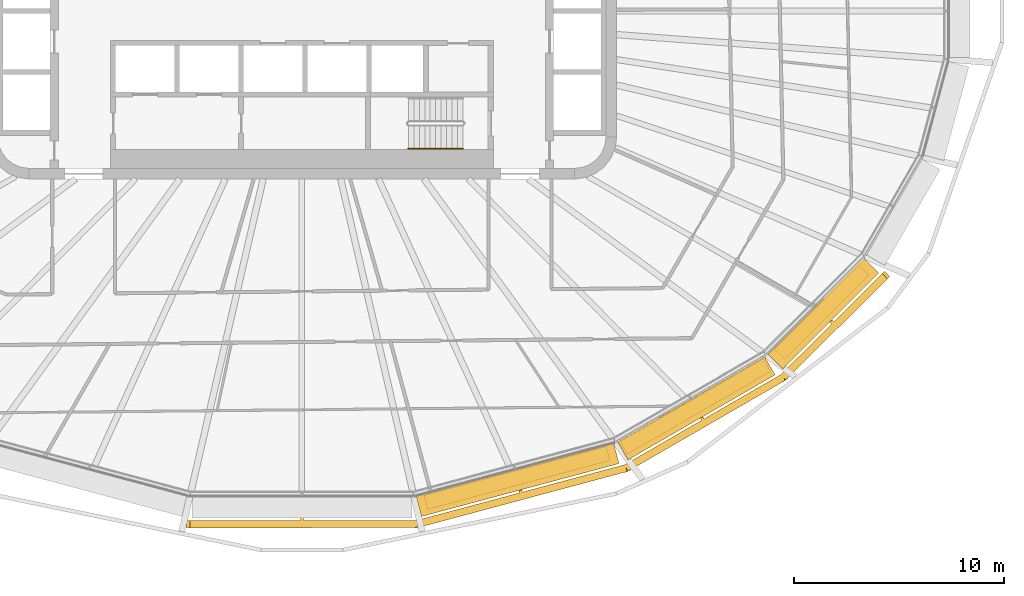
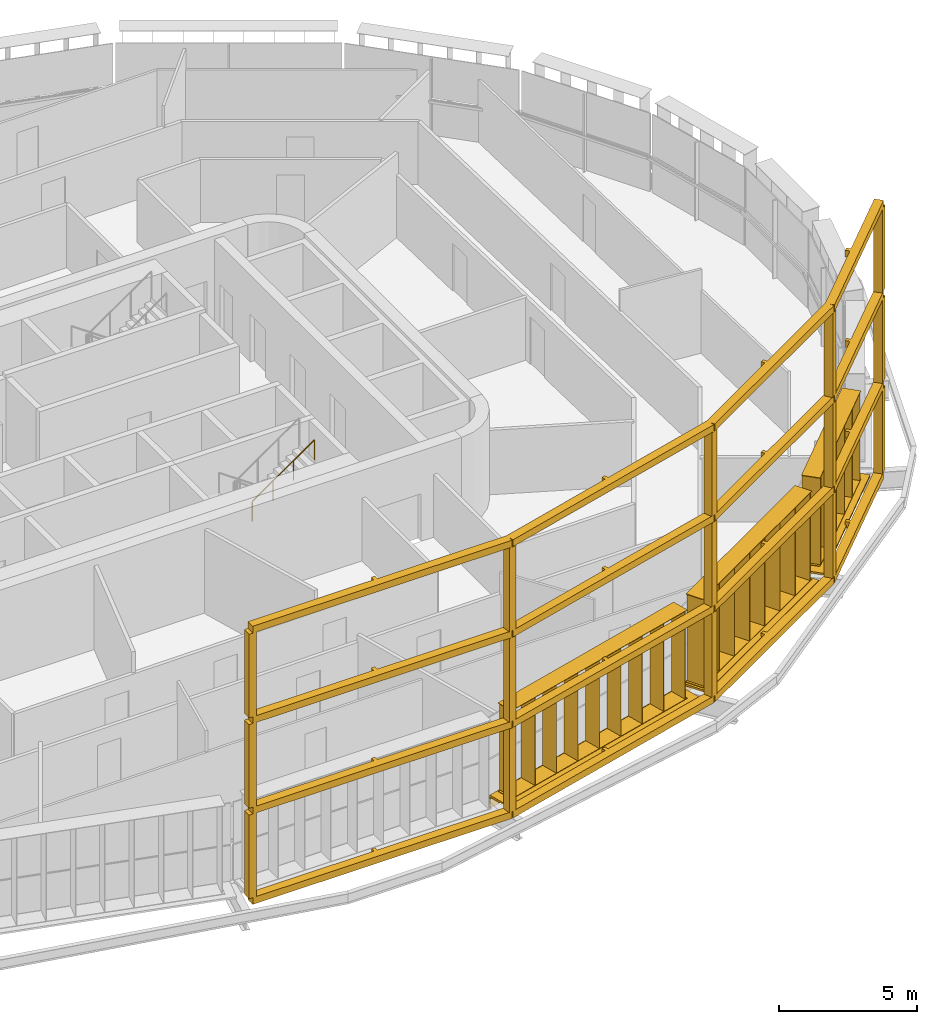
# One storey, part 20 of 23: 7 shading devices, 1 railing.
"""IFC4 building model written with IfcOpenShell, lengths in metres."""

from ifc_helpers import new_model, si_unit, direction, frame, origin, origin_2d, place, context, subcontext, project, spatial, polyline, rectangle, circle, outline, extrude, material, type_object, element, save


model = new_model("IFC4")

# Units and contexts
model_context = context("Model", 3, precision=1e-05, world=origin(), true_north=direction((0.0, 1.0)))
body_context = subcontext(model_context, "Body", "Model", "MODEL_VIEW")
ifc_project = project(units=[si_unit("LENGTHUNIT", "METRE"), si_unit("AREAUNIT", "SQUARE_METRE"), si_unit("VOLUMEUNIT", "CUBIC_METRE"), si_unit("PLANEANGLEUNIT", "RADIAN"), si_unit("MASSUNIT", "GRAM", prefix="KILO")], contexts=[model_context])

# Site, building, storey
site_placement = place(None, origin())
site = spatial("IfcSite", under=ifc_project, at=site_placement, CompositionType="ELEMENT")
building_placement = place(site_placement, origin())
building = spatial("IfcBuilding", under=site, at=building_placement, Name="Sahrelin Media Tower", CompositionType="ELEMENT")
storey_placement = place(building_placement, frame((0.0, 0.0, 185.60009765625)))
storey = spatial("IfcBuildingStorey", under=building, at=storey_placement, Name="L39", CompositionType="ELEMENT", Elevation=185.60009765625)

# Shading devices
ifc_material_1 = material(Name="Dark bronze anodised aluminium 6063-T6", Category="aluminium")
shading_device_type_1 = type_object("IfcShadingDeviceType", Name="Deep frame", PredefinedType="USERDEFINED", material=ifc_material_1)
shading_device_1_placement = place(storey_placement, frame((-5.339599609375, -23.12890625, 0.0), z_axis=(0.0, 0.0, 1.0), x_axis=(-1.0, 0.0, 0.0)))
element("IfcShadingDevice", 1, at=shading_device_1_placement, inside=storey, type_object=shading_device_type_1, Name="L39:FRAME:F3-4", ObjectType="FRAME", PredefinedType="USERDEFINED", context=body_context, shape_type="SweptSolid", body=[
    extrude(rectangle(XDim=0.300048828125, YDim=0.35009765625, at=origin_2d()), frame((0.0, 1.324951171875, 0.14990234375), z_axis=(0.0, 0.0, 1.0), x_axis=(-1.0, 0.0, 0.0)), (0.0, 0.0, 1.0), 3.7001953125),
    extrude(rectangle(XDim=0.300048828125, YDim=0.35009765625, at=origin_2d()), frame((-10.85205078125, 1.313720703125, 0.14990234375), z_axis=(0.0, 0.0, 1.0), x_axis=(-0.991436202368, -0.130591947046, 0.0)), (0.0, 0.0, 1.0), 3.7001953125),
    extrude(rectangle(XDim=0.300048828125, YDim=0.35009765625, at=origin_2d()), frame((-20.793701171875, -1.35009765625, 0.14990234375), z_axis=(0.0, 0.0, 1.0), x_axis=(-0.923897565017, -0.382639895143, 0.0)), (0.0, 0.0, 1.0), 3.7001953125),
    extrude(rectangle(XDim=0.300048828125, YDim=0.35009765625, at=origin_2d()), frame((-28.2802734375, -5.672607421875, 0.14990234375), z_axis=(0.0, 0.0, 1.0), x_axis=(-0.793352277801, -0.608762813671, 0.0)), (0.0, 0.0, 1.0), 3.7001953125),
    extrude(rectangle(XDim=0.300048828125, YDim=0.35009765625, at=origin_2d()), frame((-33.1181640625, -10.494384765625, 0.14990234375), z_axis=(0.0, 0.0, 1.0), x_axis=(-0.707106781187, -0.707106781187, 0.0)), (0.0, 0.0, 1.0), 3.7001953125),
    extrude(outline(polyline([(-10.852294921875, 1.48876953125), (-10.85205078125, 1.313720703125), (-10.8974609375, 1.482666015625), (-20.8388671875, -1.18115234375), (-20.793701171875, -1.35009765625), (-20.881103515625, -1.198486328125), (-28.36767578125, -5.52099609375), (-28.2802734375, -5.672607421875), (-28.40380859375, -5.548583984375), (-33.24169921875, -10.37060546875), (-32.99462890625, -10.618408203125), (-30.689697265625, -8.3212890625), (-30.56640625, -8.444580078125), (-30.460205078125, -8.338623046875), (-30.58349609375, -8.21533203125), (-28.1728515625, -5.812744140625), (-24.514404296875, -3.700439453125), (-24.429931640625, -3.846435546875), (-24.300048828125, -3.771484375), (-24.384521484375, -3.62548828125), (-20.72607421875, -1.51318359375), (-15.85009765625, -0.206787109375), (-15.806396484375, -0.36962890625), (-15.66162109375, -0.330810546875), (-15.705078125, -0.16796875), (-10.8291015625, 1.138671875), (-5.41455078125, 1.144287109375), (-5.41455078125, 0.969970703125), (-5.2646484375, 0.969970703125), (-5.2646484375, 1.14453125), (0.000244140625, 1.14990234375), (-0.000244140625, 1.5), (-10.852294921875, 1.48876953125)])), frame((0.0, 0.0, -0.14990234375)), (0.0, 0.0, 1.0), 0.2998046875),
    extrude(rectangle(XDim=0.300048828125, YDim=0.35009765625, at=origin_2d()), frame((0.0, 1.324951171875, 4.14990234375), z_axis=(0.0, 0.0, 1.0), x_axis=(-1.0, 0.0, 0.0)), (0.0, 0.0, 1.0), 3.7001953125),
    extrude(rectangle(XDim=0.300048828125, YDim=0.35009765625, at=origin_2d()), frame((-10.85205078125, 1.313720703125, 4.14990234375), z_axis=(0.0, 0.0, 1.0), x_axis=(-0.991436202368, -0.130591947046, 0.0)), (0.0, 0.0, 1.0), 3.7001953125),
    extrude(rectangle(XDim=0.300048828125, YDim=0.35009765625, at=origin_2d()), frame((-20.793701171875, -1.35009765625, 4.14990234375), z_axis=(0.0, 0.0, 1.0), x_axis=(-0.923897565017, -0.382639895143, 0.0)), (0.0, 0.0, 1.0), 3.7001953125),
    extrude(rectangle(XDim=0.300048828125, YDim=0.35009765625, at=origin_2d()), frame((-28.2802734375, -5.672607421875, 4.14990234375), z_axis=(0.0, 0.0, 1.0), x_axis=(-0.793352277801, -0.608762813671, 0.0)), (0.0, 0.0, 1.0), 3.7001953125),
    extrude(rectangle(XDim=0.300048828125, YDim=0.35009765625, at=origin_2d()), frame((-33.1181640625, -10.494384765625, 4.14990234375), z_axis=(0.0, 0.0, 1.0), x_axis=(-0.707106781187, -0.707106781187, 0.0)), (0.0, 0.0, 1.0), 3.7001953125),
    extrude(outline(polyline([(-10.852294921875, 1.48876953125), (-10.85205078125, 1.313720703125), (-10.8974609375, 1.482666015625), (-20.8388671875, -1.18115234375), (-20.793701171875, -1.35009765625), (-20.881103515625, -1.198486328125), (-28.36767578125, -5.52099609375), (-28.2802734375, -5.672607421875), (-28.40380859375, -5.548583984375), (-33.24169921875, -10.37060546875), (-32.99462890625, -10.618408203125), (-30.689697265625, -8.3212890625), (-30.56640625, -8.444580078125), (-30.460205078125, -8.338623046875), (-30.58349609375, -8.21533203125), (-28.1728515625, -5.812744140625), (-24.514404296875, -3.700439453125), (-24.429931640625, -3.846435546875), (-24.300048828125, -3.771484375), (-24.384521484375, -3.62548828125), (-20.72607421875, -1.51318359375), (-15.85009765625, -0.206787109375), (-15.806396484375, -0.36962890625), (-15.66162109375, -0.330810546875), (-15.705078125, -0.16796875), (-10.8291015625, 1.138671875), (-5.41455078125, 1.144287109375), (-5.41455078125, 0.969970703125), (-5.2646484375, 0.969970703125), (-5.2646484375, 1.14453125), (0.000244140625, 1.14990234375), (-0.000244140625, 1.5), (-10.852294921875, 1.48876953125)])), frame((0.0, 0.0, 3.85009765625)), (0.0, 0.0, 1.0), 0.2998046875),
    extrude(rectangle(XDim=0.300048828125, YDim=0.35009765625, at=origin_2d()), frame((0.0, 1.324951171875, 8.14990234375), z_axis=(0.0, 0.0, 1.0), x_axis=(-1.0, 0.0, 0.0)), (0.0, 0.0, 1.0), 3.7001953125),
    extrude(rectangle(XDim=0.300048828125, YDim=0.35009765625, at=origin_2d()), frame((-10.85205078125, 1.313720703125, 8.14990234375), z_axis=(0.0, 0.0, 1.0), x_axis=(-0.991436202368, -0.130591947046, 0.0)), (0.0, 0.0, 1.0), 3.7001953125),
    extrude(rectangle(XDim=0.300048828125, YDim=0.35009765625, at=origin_2d()), frame((-20.793701171875, -1.35009765625, 8.14990234375), z_axis=(0.0, 0.0, 1.0), x_axis=(-0.923897565017, -0.382639895143, 0.0)), (0.0, 0.0, 1.0), 3.7001953125),
    extrude(rectangle(XDim=0.300048828125, YDim=0.35009765625, at=origin_2d()), frame((-28.2802734375, -5.672607421875, 8.14990234375), z_axis=(0.0, 0.0, 1.0), x_axis=(-0.793352277801, -0.608762813671, 0.0)), (0.0, 0.0, 1.0), 3.7001953125),
    extrude(rectangle(XDim=0.300048828125, YDim=0.35009765625, at=origin_2d()), frame((-33.1181640625, -10.494384765625, 8.14990234375), z_axis=(0.0, 0.0, 1.0), x_axis=(-0.707106781187, -0.707106781187, 0.0)), (0.0, 0.0, 1.0), 3.7001953125),
    extrude(outline(polyline([(-10.852294921875, 1.48876953125), (-10.85205078125, 1.313720703125), (-10.8974609375, 1.482666015625), (-20.8388671875, -1.18115234375), (-20.793701171875, -1.35009765625), (-20.881103515625, -1.198486328125), (-28.36767578125, -5.52099609375), (-28.2802734375, -5.672607421875), (-28.40380859375, -5.548583984375), (-33.24169921875, -10.37060546875), (-32.99462890625, -10.618408203125), (-30.689697265625, -8.3212890625), (-30.56640625, -8.444580078125), (-30.460205078125, -8.338623046875), (-30.58349609375, -8.21533203125), (-28.1728515625, -5.812744140625), (-24.514404296875, -3.700439453125), (-24.429931640625, -3.846435546875), (-24.300048828125, -3.771484375), (-24.384521484375, -3.62548828125), (-20.72607421875, -1.51318359375), (-15.85009765625, -0.206787109375), (-15.806396484375, -0.36962890625), (-15.66162109375, -0.330810546875), (-15.705078125, -0.16796875), (-10.8291015625, 1.138671875), (-5.41455078125, 1.144287109375), (-5.41455078125, 0.969970703125), (-5.2646484375, 0.969970703125), (-5.2646484375, 1.14453125), (0.000244140625, 1.14990234375), (-0.000244140625, 1.5), (-10.852294921875, 1.48876953125)])), frame((0.0, 0.0, 7.85009765625)), (0.0, 0.0, 1.0), 0.2998046875),
    extrude(outline(polyline([(-10.852294921875, 1.48876953125), (-10.85205078125, 1.313720703125), (-10.8974609375, 1.482666015625), (-20.8388671875, -1.18115234375), (-20.793701171875, -1.35009765625), (-20.881103515625, -1.198486328125), (-28.36767578125, -5.52099609375), (-28.2802734375, -5.672607421875), (-28.40380859375, -5.548583984375), (-33.24169921875, -10.37060546875), (-32.99462890625, -10.618408203125), (-30.689697265625, -8.3212890625), (-30.56640625, -8.444580078125), (-30.460205078125, -8.338623046875), (-30.58349609375, -8.21533203125), (-28.1728515625, -5.812744140625), (-24.514404296875, -3.700439453125), (-24.429931640625, -3.846435546875), (-24.300048828125, -3.771484375), (-24.384521484375, -3.62548828125), (-20.72607421875, -1.51318359375), (-15.85009765625, -0.206787109375), (-15.806396484375, -0.36962890625), (-15.66162109375, -0.330810546875), (-15.705078125, -0.16796875), (-10.8291015625, 1.138671875), (-5.41455078125, 1.144287109375), (-5.41455078125, 0.969970703125), (-5.2646484375, 0.969970703125), (-5.2646484375, 1.14453125), (0.000244140625, 1.14990234375), (-0.000244140625, 1.5), (-10.852294921875, 1.48876953125)])), frame((0.0, 0.0, 11.85009765625)), (0.0, 0.0, 1.0), 0.2998046875),
])
ifc_material_2 = material(Name="Champagne anodised aluminium 6063-T6", Category="aluminium")
shading_device_type_2 = type_object("IfcShadingDeviceType", Name="Fin cassette", PredefinedType="USERDEFINED", material=ifc_material_2)
placement_1 = place(storey_placement, frame((10.143310546875, -21.841796875, 0.0), z_axis=(0.0, 0.0, 1.0), x_axis=(-0.965928857556, -0.258807731996, 0.0)))
element("IfcShadingDevice", 2, at=placement_1, inside=storey, type_object=shading_device_type_2, Name="L39:FIN:L39-19", ObjectType="FIN", PredefinedType="USERDEFINED", context=body_context, shape_type="SweptSolid", body=[
    extrude(rectangle(XDim=9.0, YDim=0.699951171875, at=origin_2d()), frame((0.0, 0.419921875, 0.0)), (0.0, 0.0, 1.0), 0.02001953125),
    extrude(rectangle(XDim=9.0, YDim=0.699951171875, at=origin_2d()), frame((0.0, 0.419921875, 3.89990234375)), (0.0, 0.0, 1.0), 0.02001953125),
    extrude(rectangle(XDim=0.02001953125, YDim=0.699951171875, at=origin_2d()), frame((-4.39990234375, 0.419921875, 0.010009765625), z_axis=(0.0, 0.0, 1.0), x_axis=(1.0, 0.0, 0.0)), (0.0, 0.0, 1.0), 3.89990234375),
    extrude(rectangle(XDim=0.02001953125, YDim=0.699951171875, at=origin_2d()), frame((-3.300048828125, 0.419921875, 0.010009765625), z_axis=(0.0, 0.0, 1.0), x_axis=(1.0, 0.0, 0.0)), (0.0, 0.0, 1.0), 3.89990234375),
    extrude(rectangle(XDim=0.02001953125, YDim=0.699951171875, at=origin_2d()), frame((-2.199951171875, 0.419921875, 0.010009765625), z_axis=(0.0, 0.0, 1.0), x_axis=(1.0, 0.0, 0.0)), (0.0, 0.0, 1.0), 3.89990234375),
    extrude(rectangle(XDim=0.02001953125, YDim=0.699951171875, at=origin_2d()), frame((-1.10009765625, 0.419921875, 0.010009765625), z_axis=(0.0, 0.0, 1.0), x_axis=(1.0, 0.0, 0.0)), (0.0, 0.0, 1.0), 3.89990234375),
    extrude(rectangle(XDim=0.02001953125, YDim=0.699951171875, at=origin_2d()), frame((0.0, 0.419921875, 0.010009765625), z_axis=(0.0, 0.0, 1.0), x_axis=(1.0, 0.0, 0.0)), (0.0, 0.0, 1.0), 3.89990234375),
    extrude(rectangle(XDim=0.02001953125, YDim=0.699951171875, at=origin_2d()), frame((1.10009765625, 0.419921875, 0.010009765625), z_axis=(0.0, 0.0, 1.0), x_axis=(1.0, 0.0, 0.0)), (0.0, 0.0, 1.0), 3.89990234375),
    extrude(rectangle(XDim=0.02001953125, YDim=0.699951171875, at=origin_2d()), frame((2.199951171875, 0.419921875, 0.010009765625), z_axis=(0.0, 0.0, 1.0), x_axis=(1.0, 0.0, 0.0)), (0.0, 0.0, 1.0), 3.89990234375),
    extrude(rectangle(XDim=0.02001953125, YDim=0.699951171875, at=origin_2d()), frame((3.300048828125, 0.419921875, 0.010009765625), z_axis=(0.0, 0.0, 1.0), x_axis=(1.0, 0.0, 0.0)), (0.0, 0.0, 1.0), 3.89990234375),
    extrude(rectangle(XDim=0.02001953125, YDim=0.699951171875, at=origin_2d()), frame((4.39990234375, 0.419921875, 0.010009765625), z_axis=(0.0, 0.0, 1.0), x_axis=(1.0, 0.0, 0.0)), (0.0, 0.0, 1.0), 3.89990234375),
])
placement_2 = place(storey_placement, frame((18.540283203125, -18.479736328125, 0.0), z_axis=(0.0, 0.0, 1.0), x_axis=(-0.866019052629, -0.500011000363, 0.0)))
element("IfcShadingDevice", 3, at=placement_2, inside=storey, type_object=shading_device_type_2, Name="L39:FIN:L39-20", ObjectType="FIN", PredefinedType="USERDEFINED", context=body_context, shape_type="SweptSolid", body=[
    extrude(rectangle(XDim=7.89990234375, YDim=0.699951171875, at=origin_2d()), frame((0.0, 0.419921875, 0.0)), (0.0, 0.0, 1.0), 0.02001953125),
    extrude(rectangle(XDim=7.89990234375, YDim=0.699951171875, at=origin_2d()), frame((0.0, 0.419921875, 3.89990234375)), (0.0, 0.0, 1.0), 0.02001953125),
    extrude(rectangle(XDim=0.02001953125, YDim=0.699951171875, at=origin_2d()), frame((-3.85009765625, 0.419921875, 0.010009765625), z_axis=(0.0, 0.0, 1.0), x_axis=(1.0, 0.0, 0.0)), (0.0, 0.0, 1.0), 3.89990234375),
    extrude(rectangle(XDim=0.02001953125, YDim=0.699951171875, at=origin_2d()), frame((-2.75, 0.419921875, 0.010009765625), z_axis=(0.0, 0.0, 1.0), x_axis=(1.0, 0.0, 0.0)), (0.0, 0.0, 1.0), 3.89990234375),
    extrude(rectangle(XDim=0.02001953125, YDim=0.699951171875, at=origin_2d()), frame((-1.64990234375, 0.419921875, 0.010009765625), z_axis=(0.0, 0.0, 1.0), x_axis=(1.0, 0.0, 0.0)), (0.0, 0.0, 1.0), 3.89990234375),
    extrude(rectangle(XDim=0.02001953125, YDim=0.699951171875, at=origin_2d()), frame((-0.550048828125, 0.419921875, 0.010009765625), z_axis=(0.0, 0.0, 1.0), x_axis=(1.0, 0.0, 0.0)), (0.0, 0.0, 1.0), 3.89990234375),
    extrude(rectangle(XDim=0.02001953125, YDim=0.699951171875, at=origin_2d()), frame((0.550048828125, 0.419921875, 0.010009765625), z_axis=(0.0, 0.0, 1.0), x_axis=(1.0, 0.0, 0.0)), (0.0, 0.0, 1.0), 3.89990234375),
    extrude(rectangle(XDim=0.02001953125, YDim=0.699951171875, at=origin_2d()), frame((1.64990234375, 0.419921875, 0.010009765625), z_axis=(0.0, 0.0, 1.0), x_axis=(1.0, 0.0, 0.0)), (0.0, 0.0, 1.0), 3.89990234375),
    extrude(rectangle(XDim=0.02001953125, YDim=0.699951171875, at=origin_2d()), frame((2.75, 0.419921875, 0.010009765625), z_axis=(0.0, 0.0, 1.0), x_axis=(1.0, 0.0, 0.0)), (0.0, 0.0, 1.0), 3.89990234375),
    extrude(rectangle(XDim=0.02001953125, YDim=0.699951171875, at=origin_2d()), frame((3.85009765625, 0.419921875, 0.010009765625), z_axis=(0.0, 0.0, 1.0), x_axis=(1.0, 0.0, 0.0)), (0.0, 0.0, 1.0), 3.89990234375),
])
placement_3 = place(storey_placement, frame((24.48779296875, -14.05126953125, 0.0), z_axis=(0.0, 0.0, 1.0), x_axis=(-0.707106781187, -0.707106781187, 0.0)))
element("IfcShadingDevice", 4, at=placement_3, inside=storey, type_object=shading_device_type_2, Name="L39:FIN:L39-21", ObjectType="FIN", PredefinedType="USERDEFINED", context=body_context, shape_type="SweptSolid", body=[
    extrude(rectangle(XDim=5.699951171875, YDim=0.699951171875, at=origin_2d()), frame((0.0, 0.419921875, 0.0)), (0.0, 0.0, 1.0), 0.02001953125),
    extrude(rectangle(XDim=5.699951171875, YDim=0.699951171875, at=origin_2d()), frame((0.0, 0.419921875, 3.89990234375)), (0.0, 0.0, 1.0), 0.02001953125),
    extrude(rectangle(XDim=0.02001953125, YDim=0.699951171875, at=origin_2d()), frame((-2.75, 0.419921875, 0.010009765625), z_axis=(0.0, 0.0, 1.0), x_axis=(1.0, 0.0, 0.0)), (0.0, 0.0, 1.0), 3.89990234375),
    extrude(rectangle(XDim=0.02001953125, YDim=0.699951171875, at=origin_2d()), frame((-1.64990234375, 0.419921875, 0.010009765625), z_axis=(0.0, 0.0, 1.0), x_axis=(1.0, 0.0, 0.0)), (0.0, 0.0, 1.0), 3.89990234375),
    extrude(rectangle(XDim=0.02001953125, YDim=0.699951171875, at=origin_2d()), frame((-0.550048828125, 0.419921875, 0.010009765625), z_axis=(0.0, 0.0, 1.0), x_axis=(1.0, 0.0, 0.0)), (0.0, 0.0, 1.0), 3.89990234375),
    extrude(rectangle(XDim=0.02001953125, YDim=0.699951171875, at=origin_2d()), frame((0.550048828125, 0.419921875, 0.010009765625), z_axis=(0.0, 0.0, 1.0), x_axis=(1.0, 0.0, 0.0)), (0.0, 0.0, 1.0), 3.89990234375),
    extrude(rectangle(XDim=0.02001953125, YDim=0.699951171875, at=origin_2d()), frame((1.64990234375, 0.419921875, 0.010009765625), z_axis=(0.0, 0.0, 1.0), x_axis=(1.0, 0.0, 0.0)), (0.0, 0.0, 1.0), 3.89990234375),
    extrude(rectangle(XDim=0.02001953125, YDim=0.699951171875, at=origin_2d()), frame((2.75, 0.419921875, 0.010009765625), z_axis=(0.0, 0.0, 1.0), x_axis=(1.0, 0.0, 0.0)), (0.0, 0.0, 1.0), 3.89990234375),
])

# Railing
ifc_material_3 = material(Name="Steel S355", Category="steel")
railing_type = type_object("IfcRailingType", Name="Stair handrail 900", PredefinedType="HANDRAIL", material=ifc_material_3)
railing_placement = place(storey_placement, frame((5.074951171875, -6.550048828125, 2.181640625)))
element("IfcRailing", 5, at=railing_placement, inside=storey, type_object=railing_type, Name="L39 ST2 stair handrail 2", PredefinedType="HANDRAIL", context=body_context, shape_type="SweptSolid", body=[
    extrude(circle(Radius=0.02392578125, at=origin_2d()), frame((0.0, 0.0, 0.8759765625), z_axis=(0.819484887739, 0.0, 0.573100792852), x_axis=(0.0, 1.0, 0.0)), (0.0, 0.0, 1.0), 3.1728515625),
    extrude(circle(Radius=0.02099609375, at=origin_2d()), origin(), (0.0, 0.0, 1.0), 0.851806640625),
    extrude(circle(Radius=0.02099609375, at=origin_2d()), frame((0.86669921875, 0.0, 0.606201171875)), (0.0, 0.0, 1.0), 0.851806640625),
    extrude(circle(Radius=0.02099609375, at=origin_2d()), frame((1.7333984375, 0.0, 1.212158203125)), (0.0, 0.0, 1.0), 0.851806640625),
    extrude(circle(Radius=0.02099609375, at=origin_2d()), frame((2.60009765625, 0.0, 1.818359375)), (0.0, 0.0, 1.0), 0.851806640625),
])

# Shading devices
shading_device_type_3 = type_object("IfcShadingDeviceType", Name="Sunshade band", PredefinedType="USERDEFINED", material=ifc_material_2)
element("IfcShadingDevice", 6, at=placement_1, inside=storey, type_object=shading_device_type_3, Name="L39:SUN:L39-19", ObjectType="SUNSHADE", PredefinedType="USERDEFINED", context=body_context, shape_type="SweptSolid", body=[
    extrude(rectangle(XDim=9.74609375, YDim=0.050048828125, at=origin_2d()), frame((0.0, 0.044921875, -0.55126953125)), (0.0, 0.0, 1.0), 0.471435546875),
    extrude(rectangle(XDim=9.74609375, YDim=1.0, at=origin_2d()), frame((0.0, 0.52001953125, -0.080078125)), (0.0, 0.0, 1.0), 0.080078125),
    extrude(rectangle(XDim=0.10009765625, YDim=0.074951171875, at=origin_2d()), frame((-4.773193359375, -0.017578125, -0.47021484375)), (0.0, 0.0, 1.0), 0.300048828125),
    extrude(rectangle(XDim=0.10009765625, YDim=0.074951171875, at=origin_2d()), frame((-2.864013671875, -0.017578125, -0.47021484375)), (0.0, 0.0, 1.0), 0.300048828125),
    extrude(rectangle(XDim=0.10009765625, YDim=0.074951171875, at=origin_2d()), frame((-0.95458984375, -0.017578125, -0.47021484375)), (0.0, 0.0, 1.0), 0.300048828125),
    extrude(rectangle(XDim=0.10009765625, YDim=0.074951171875, at=origin_2d()), frame((0.95458984375, -0.017578125, -0.47021484375)), (0.0, 0.0, 1.0), 0.300048828125),
    extrude(rectangle(XDim=0.10009765625, YDim=0.074951171875, at=origin_2d()), frame((2.864013671875, -0.017578125, -0.47021484375)), (0.0, 0.0, 1.0), 0.300048828125),
    extrude(rectangle(XDim=0.10009765625, YDim=0.074951171875, at=origin_2d()), frame((4.773193359375, -0.017578125, -0.47021484375)), (0.0, 0.0, 1.0), 0.300048828125),
])
element("IfcShadingDevice", 7, at=placement_2, inside=storey, type_object=shading_device_type_3, Name="L39:SUN:L39-20", ObjectType="SUNSHADE", PredefinedType="USERDEFINED", context=body_context, shape_type="SweptSolid", body=[
    extrude(rectangle(XDim=8.09912109375, YDim=0.050048828125, at=origin_2d()), frame((0.0, 0.044921875, -0.55126953125)), (0.0, 0.0, 1.0), 0.471435546875),
    extrude(rectangle(XDim=8.09912109375, YDim=1.0, at=origin_2d()), frame((0.0, 0.52001953125, -0.080078125)), (0.0, 0.0, 1.0), 0.080078125),
    extrude(rectangle(XDim=0.10009765625, YDim=0.074951171875, at=origin_2d()), frame((-3.949462890625, -0.017578125, -0.47021484375)), (0.0, 0.0, 1.0), 0.300048828125),
    extrude(rectangle(XDim=0.10009765625, YDim=0.074951171875, at=origin_2d()), frame((-2.36962890625, -0.017578125, -0.47021484375)), (0.0, 0.0, 1.0), 0.300048828125),
    extrude(rectangle(XDim=0.10009765625, YDim=0.074951171875, at=origin_2d()), frame((-0.789794921875, -0.017578125, -0.47021484375)), (0.0, 0.0, 1.0), 0.300048828125),
    extrude(rectangle(XDim=0.10009765625, YDim=0.074951171875, at=origin_2d()), frame((0.789794921875, -0.017578125, -0.47021484375)), (0.0, 0.0, 1.0), 0.300048828125),
    extrude(rectangle(XDim=0.10009765625, YDim=0.074951171875, at=origin_2d()), frame((2.36962890625, -0.017578125, -0.47021484375)), (0.0, 0.0, 1.0), 0.300048828125),
    extrude(rectangle(XDim=0.10009765625, YDim=0.074951171875, at=origin_2d()), frame((3.949462890625, -0.017578125, -0.47021484375)), (0.0, 0.0, 1.0), 0.300048828125),
])
element("IfcShadingDevice", 8, at=placement_3, inside=storey, type_object=shading_device_type_3, Name="L39:SUN:L39-21", ObjectType="SUNSHADE", PredefinedType="USERDEFINED", context=body_context, shape_type="SweptSolid", body=[
    extrude(rectangle(XDim=6.45751953125, YDim=0.050048828125, at=origin_2d()), frame((0.0, 0.044921875, -0.55126953125)), (0.0, 0.0, 1.0), 0.471435546875),
    extrude(rectangle(XDim=6.45751953125, YDim=1.0, at=origin_2d()), frame((0.0, 0.52001953125, -0.080078125)), (0.0, 0.0, 1.0), 0.080078125),
    extrude(rectangle(XDim=0.10009765625, YDim=0.074951171875, at=origin_2d()), frame((-3.12890625, -0.017578125, -0.47021484375)), (0.0, 0.0, 1.0), 0.300048828125),
    extrude(rectangle(XDim=0.10009765625, YDim=0.074951171875, at=origin_2d()), frame((-1.564453125, -0.017578125, -0.47021484375)), (0.0, 0.0, 1.0), 0.300048828125),
    extrude(rectangle(XDim=0.10009765625, YDim=0.074951171875, at=origin_2d()), frame((0.0, -0.017578125, -0.47021484375)), (0.0, 0.0, 1.0), 0.300048828125),
    extrude(rectangle(XDim=0.10009765625, YDim=0.074951171875, at=origin_2d()), frame((1.564453125, -0.017578125, -0.47021484375)), (0.0, 0.0, 1.0), 0.300048828125),
    extrude(rectangle(XDim=0.10009765625, YDim=0.074951171875, at=origin_2d()), frame((3.12890625, -0.017578125, -0.47021484375)), (0.0, 0.0, 1.0), 0.300048828125),
])

save(model, "model.ifc")
